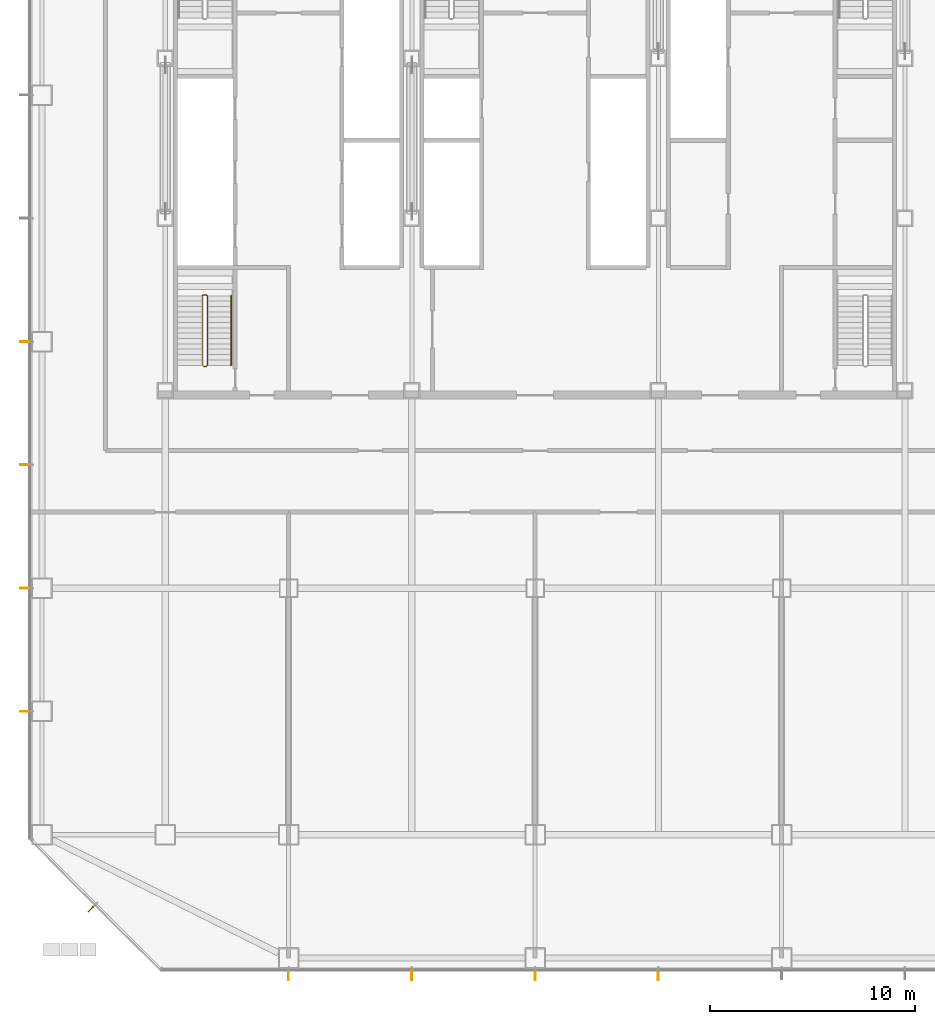
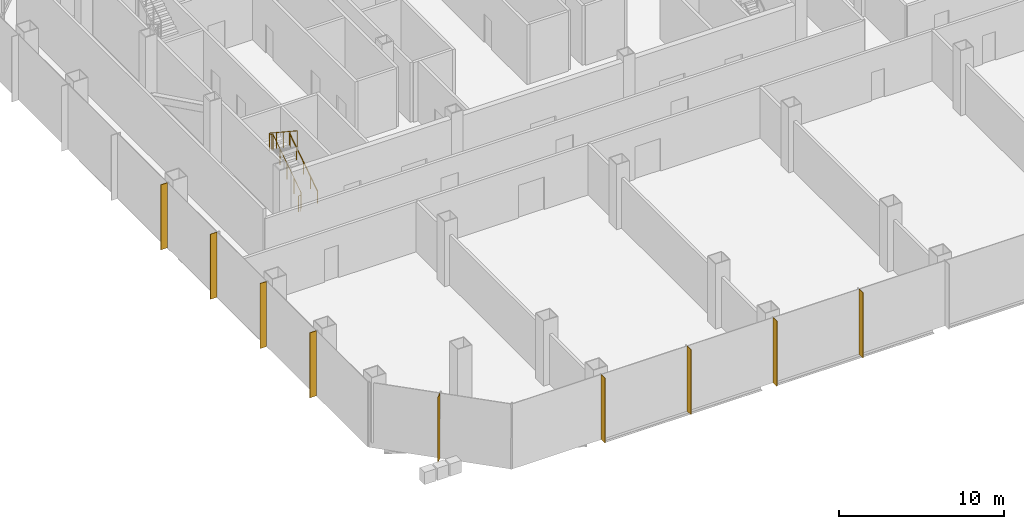
# One storey, part 27 of 33: 9 shading devices, 2 railings.
"""IFC4 building model written with IfcOpenShell, lengths in metres."""

from ifc_helpers import new_model, si_unit, direction, frame, origin, origin_2d, place, context, subcontext, project, spatial, rectangle, circle, extrude, material, material_profile, profile_set, type_object, element, save


model = new_model("IFC4")

# Units and contexts
model_context = context("Model", 3, precision=1e-05, world=origin(), true_north=direction((0.0, 1.0)))
body_context = subcontext(model_context, "Body", "Model", "MODEL_VIEW")
ifc_project = project(units=[si_unit("LENGTHUNIT", "METRE"), si_unit("AREAUNIT", "SQUARE_METRE"), si_unit("VOLUMEUNIT", "CUBIC_METRE"), si_unit("PLANEANGLEUNIT", "RADIAN"), si_unit("MASSUNIT", "GRAM", prefix="KILO")], contexts=[model_context])

# Site, building, storey
site_placement = place(None, origin())
site = spatial("IfcSite", under=ifc_project, at=site_placement, CompositionType="ELEMENT")
building_placement = place(site_placement, origin())
building = spatial("IfcBuilding", under=site, at=building_placement, Name="Sorahane Residences", CompositionType="ELEMENT")
storey_placement = place(building_placement, frame((0.0, 0.0, 34.800048828125)))
storey = spatial("IfcBuildingStorey", under=building, at=storey_placement, Name="L05", CompositionType="ELEMENT", Elevation=34.800048828125)

# Shading devices
ifc_material_1 = material(Name="Terracotta anodised aluminium", Category="masonry")
ifc_material_profile = material_profile(ifc_material_1, rectangle(XDim=0.449951171875, YDim=0.0400390625, at=origin_2d()), Name="Podium vertical fin terracotta anodised aluminium 450x40")
ifc_profile_set = profile_set([ifc_material_profile], Name="Terracotta anodised aluminium")
shading_device_type = type_object("IfcShadingDeviceType", Name="Podium vertical fin terracotta anodised aluminium 450x40", PredefinedType="USERDEFINED", material=ifc_profile_set)
for number, where, z_axis, x_axis, name in (
    (1, (12.0, -6.844970703125, -0.400146484375), (0.0, 0.0, 1.0), (0.0, -1.0, 0.0), "Podium vertical fin L05 S1.1"),
    (2, (18.0, -6.844970703125, -0.400146484375), (0.0, 0.0, 1.0), (0.0, -1.0, 0.0), "Podium vertical fin L05 S1.2"),
    (3, (24.0, -6.844970703125, -0.400146484375), (0.0, 0.0, 1.0), (0.0, -1.0, 0.0), "Podium vertical fin L05 S1.3"),
    (4, (30.0, -6.844970703125, -0.400146484375), (0.0, 0.0, 1.0), (0.0, -1.0, 0.0), "Podium vertical fin L05 S1.4"),
    (5, (-0.844970703125, 24.0, -0.400146484375), (0.0, 0.0, 1.0), (-1.0, 0.0, 0.0), "Podium vertical fin L05 W1.4"),
    (6, (-0.844970703125, 18.0, -0.400146484375), (0.0, 0.0, 1.0), (-1.0, 0.0, 0.0), "Podium vertical fin L05 W1.5"),
    (7, (-0.844970703125, 12.0, -0.400146484375), (0.0, 0.0, 1.0), (-1.0, 0.0, 0.0), "Podium vertical fin L05 W1.6"),
    (8, (-0.844970703125, 6.0, -0.400146484375), (0.0, 0.0, 1.0), (-1.0, 0.0, 0.0), "Podium vertical fin L05 W1.7"),
    (9, (2.402587890625, -3.597412109375, -0.400146484375), (0.0, 0.0, 1.0), (-0.707106781187, -0.707106781187, 0.0), "Podium vertical fin L05 SW1.1"),
):
    element("IfcShadingDevice", number, at=place(storey_placement, frame(where, z_axis=z_axis, x_axis=x_axis)), inside=storey, type_object=shading_device_type, Name=name, ObjectType="Vertical fin", PredefinedType="USERDEFINED", context=body_context, shape_type="SweptSolid", body=[
        extrude(rectangle(XDim=0.449951171875, YDim=0.0400390625, at=origin_2d()), origin(), (0.0, 0.0, 1.0), 4.800048828125),
    ])

# Railings
ifc_material_2 = material(Name="Steel Q355B", Category="steel")
railing_type_1 = type_object("IfcRailingType", Name="Stair guard 1200 Steel Q355B", PredefinedType="GUARDRAIL", material=ifc_material_2)
railing_1_placement = place(storey_placement, frame((7.85009765625, 22.800048828125, 0.0)))
element("IfcRailing", 10, at=railing_1_placement, inside=storey, type_object=railing_type_1, Name="L05 S4 stair guard 1", PredefinedType="GUARDRAIL", context=body_context, shape_type="SweptSolid", body=[
    extrude(circle(Radius=0.02392578125, at=origin_2d()), frame((0.0, 0.0, 1.17578125), z_axis=(1.0, 0.0, 0.0), x_axis=(0.0, 1.0, 0.0)), (0.0, 0.0, 1.0), 0.14990234375),
    extrude(circle(Radius=0.02392578125, at=origin_2d()), frame((0.14990234375, 0.0, 1.17578125), z_axis=(0.269911200495, 0.269911200495, 0.924281281696), x_axis=(-0.707106781187, 0.707106781187, 0.0)), (0.0, 0.0, 1.0), 0.185546875),
    extrude(circle(Radius=0.02392578125, at=origin_2d()), frame((0.199951171875, 0.050048828125, 1.34716796875), z_axis=(0.0, 0.83485994896, 0.550462410727), x_axis=(-1.0, 0.0, 0.0)), (0.0, 0.0, 1.0), 4.04833984375),
    extrude(circle(Radius=0.02392578125, at=origin_2d()), frame((0.199951171875, 3.429931640625, 3.57568359375), z_axis=(-0.707106781187, 0.707106781187, 0.0), x_axis=(-0.707106781187, -0.707106781187, 0.0)), (0.0, 0.0, 1.0), 0.07080078125),
    extrude(circle(Radius=0.02392578125, at=origin_2d()), frame((0.14990234375, 3.47998046875, 3.57568359375), z_axis=(-1.0, 0.0, 0.0), x_axis=(0.0, -1.0, 0.0)), (0.0, 0.0, 1.0), 0.14990234375),
    extrude(circle(Radius=0.02392578125, at=origin_2d()), frame((0.0, 3.47998046875, 3.57568359375), z_axis=(-0.269911200495, -0.269911200495, 0.924281281696), x_axis=(0.707106781187, -0.707106781187, 0.0)), (0.0, 0.0, 1.0), 0.185546875),
    extrude(circle(Radius=0.02392578125, at=origin_2d()), frame((-0.050048828125, 3.429931640625, 3.7470703125), z_axis=(0.0, -0.834832235197, 0.55050444056), x_axis=(1.0, 0.0, 0.0)), (0.0, 0.0, 1.0), 4.048583984375),
    extrude(circle(Radius=0.02099609375, at=origin_2d()), origin(), (0.0, 0.0, 1.0), 1.15185546875),
    extrude(circle(Radius=0.02099609375, at=origin_2d()), frame((0.14990234375, 0.0, 0.0)), (0.0, 0.0, 1.0), 1.15185546875),
    extrude(circle(Radius=0.02099609375, at=origin_2d()), frame((0.199951171875, 0.050048828125, 0.17138671875)), (0.0, 0.0, 1.0), 1.15185546875),
    extrude(circle(Radius=0.02099609375, at=origin_2d()), frame((0.199951171875, 0.89501953125, 0.728515625)), (0.0, 0.0, 1.0), 1.15185546875),
    extrude(circle(Radius=0.02099609375, at=origin_2d()), frame((0.199951171875, 1.739990234375, 1.28564453125)), (0.0, 0.0, 1.0), 1.15185546875),
    extrude(circle(Radius=0.02099609375, at=origin_2d()), frame((0.199951171875, 2.5849609375, 1.8427734375)), (0.0, 0.0, 1.0), 1.15185546875),
    extrude(circle(Radius=0.02099609375, at=origin_2d()), frame((0.199951171875, 3.429931640625, 2.39990234375)), (0.0, 0.0, 1.0), 1.15185546875),
    extrude(circle(Radius=0.02099609375, at=origin_2d()), frame((0.14990234375, 3.47998046875, 2.39990234375)), (0.0, 0.0, 1.0), 1.15185546875),
    extrude(circle(Radius=0.02099609375, at=origin_2d()), frame((0.0, 3.47998046875, 2.39990234375)), (0.0, 0.0, 1.0), 1.15185546875),
    extrude(circle(Radius=0.02099609375, at=origin_2d()), frame((-0.050048828125, 3.429931640625, 2.5712890625)), (0.0, 0.0, 1.0), 1.15185546875),
    extrude(circle(Radius=0.02099609375, at=origin_2d()), frame((-0.050048828125, 2.5849609375, 3.12841796875)), (0.0, 0.0, 1.0), 1.15185546875),
    extrude(circle(Radius=0.02099609375, at=origin_2d()), frame((-0.050048828125, 1.739990234375, 3.685546875)), (0.0, 0.0, 1.0), 1.15185546875),
    extrude(circle(Radius=0.02099609375, at=origin_2d()), frame((-0.050048828125, 0.89501953125, 4.242919921875)), (0.0, 0.0, 1.0), 1.15185546875),
    extrude(circle(Radius=0.02099609375, at=origin_2d()), frame((-0.050048828125, 0.050048828125, 4.800048828125)), (0.0, 0.0, 1.0), 1.15185546875),
])
ifc_material_3 = material(Name="Steel Q355B", Category="steel")
railing_type_2 = type_object("IfcRailingType", Name="Stair handrail 900 Steel Q355B", PredefinedType="HANDRAIL", material=ifc_material_3)
railing_2_placement = place(storey_placement, frame((9.199951171875, 22.85009765625, 0.17138671875)))
element("IfcRailing", 11, at=railing_2_placement, inside=storey, type_object=railing_type_2, Name="L05 S4 stair handrail 1", PredefinedType="HANDRAIL", context=body_context, shape_type="SweptSolid", body=[
    extrude(circle(Radius=0.02392578125, at=origin_2d()), frame((0.0, 0.0, 0.8759765625), z_axis=(0.0, 0.83485994896, 0.550462410727), x_axis=(-1.0, 0.0, 0.0)), (0.0, 0.0, 1.0), 4.04833984375),
    extrude(circle(Radius=0.02099609375, at=origin_2d()), origin(), (0.0, 0.0, 1.0), 0.851806640625),
    extrude(circle(Radius=0.02099609375, at=origin_2d()), frame((0.0, 0.844970703125, 0.55712890625)), (0.0, 0.0, 1.0), 0.851806640625),
    extrude(circle(Radius=0.02099609375, at=origin_2d()), frame((0.0, 1.68994140625, 1.1142578125)), (0.0, 0.0, 1.0), 0.851806640625),
    extrude(circle(Radius=0.02099609375, at=origin_2d()), frame((0.0, 2.534912109375, 1.67138671875)), (0.0, 0.0, 1.0), 0.851806640625),
    extrude(circle(Radius=0.02099609375, at=origin_2d()), frame((0.0, 3.3798828125, 2.228515625)), (0.0, 0.0, 1.0), 0.851806640625),
])

save(model, "model.ifc")
